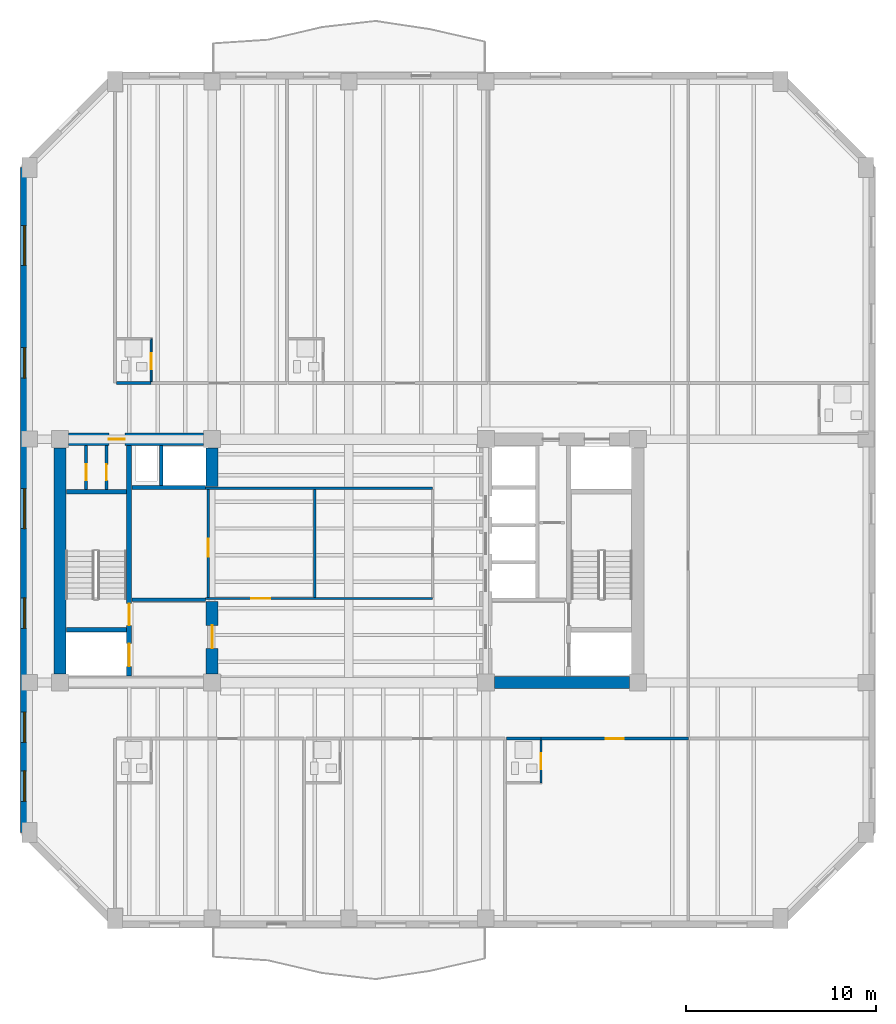
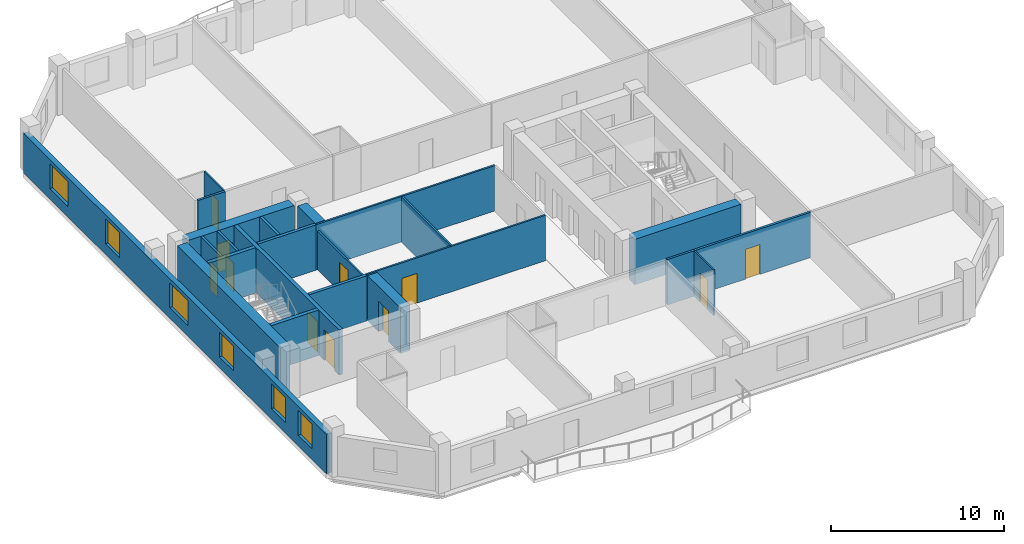
# One storey, part 3 of 9: 23 walls, 11 doors, 6 windows, 17 openings.
"""IFC4 building model written with IfcOpenShell, lengths in metres."""

from ifc_helpers import new_model, si_unit, direction, frame, frame_2d, origin, place, context, subcontext, project, spatial, rectangle, extrude, material, layer, layer_set, type_object, element, fill, save


model = new_model("IFC4")

# Units and contexts
model_context = context("Model", 3, precision=1e-05, world=origin(), true_north=direction((0.0, 1.0)))
body_context = subcontext(model_context, "Body", "Model", "MODEL_VIEW")
ifc_project = project(units=[si_unit("LENGTHUNIT", "METRE"), si_unit("AREAUNIT", "SQUARE_METRE"), si_unit("VOLUMEUNIT", "CUBIC_METRE"), si_unit("PLANEANGLEUNIT", "RADIAN"), si_unit("MASSUNIT", "GRAM", prefix="KILO")], contexts=[model_context])

# Site, building, storey
site_placement = place(None, origin())
site = spatial("IfcSite", under=ifc_project, at=site_placement, CompositionType="ELEMENT")
building_placement = place(site_placement, origin())
building = spatial("IfcBuilding", under=site, at=building_placement, Name="Kranthara Brick Stack", CompositionType="ELEMENT")
storey_placement = place(building_placement, frame((0.0, 0.0, 165.800048828125)))
storey = spatial("IfcBuildingStorey", under=building, at=storey_placement, Name="L42", CompositionType="ELEMENT", Elevation=165.800048828125)

# Wall, openings, windows
ifc_material_1 = material(Name="Kiln-fired clay brick masonry M15", Category="masonry")
ifc_layer_1 = layer(ifc_material_1, 0.35009765625)
ifc_layer_set_1 = layer_set([ifc_layer_1], Name="Kiln-fired clay brick masonry M15")
wall_type_1 = type_object("IfcWallType", Name="WL-BRK-SPND-350", PredefinedType="STANDARD", material=ifc_layer_set_1)
wall_1_placement = place(storey_placement, frame((10.89501953125, 12.89990234375, 0.0), z_axis=(0.0, 0.0, 1.0), x_axis=(0.0, 1.0, 0.0)))
wall_1 = element("IfcWall", 1, at=wall_1_placement, inside=storey, type_object=wall_type_1, Name="L42 Exterior Brick Facade Wall WEST 1", PredefinedType="STANDARD", context=body_context, shape_type="SweptSolid", body=[
    extrude(rectangle(XDim=35.0, YDim=0.35009765625, at=frame_2d((17.5, 0.0))), origin(), (0.0, 0.0, 1.0), 2.784912109375),
])
opening_1_placement = place(wall_1_placement, frame((1.652099609375, 0.0, 0.75)))
opening_1 = element("IfcOpeningElement", 2, at=opening_1_placement, cuts=wall_1, Name="Opening WN04", PredefinedType="OPENING", context=body_context, shape_type="SweptSolid", body=[
    extrude(rectangle(XDim=1.60009765625, YDim=1.75, at=frame_2d((0.800048828125, 0.875))), frame((0.0, 0.18505859375, 0.0), z_axis=(0.0, -1.0, 0.0), x_axis=(1.0, 0.0, 0.0)), (0.0, 0.0, 1.0), 0.3701171875),
])
opening_2_placement = place(wall_1_placement, frame((4.748046875, 0.0, 0.75)))
opening_2 = element("IfcOpeningElement", 3, at=opening_2_placement, cuts=wall_1, Name="Opening WN04", PredefinedType="OPENING", context=body_context, shape_type="SweptSolid", body=[
    extrude(rectangle(XDim=1.60009765625, YDim=1.75, at=frame_2d((0.800048828125, 0.875))), frame((0.0, 0.18505859375, 0.0), z_axis=(0.0, -1.0, 0.0), x_axis=(1.0, 0.0, 0.0)), (0.0, 0.0, 1.0), 0.3701171875),
])
opening_3_placement = place(wall_1_placement, frame((10.751953125, 0.0, 0.75)))
opening_3 = element("IfcOpeningElement", 4, at=opening_3_placement, cuts=wall_1, Name="Opening WN04", PredefinedType="OPENING", context=body_context, shape_type="SweptSolid", body=[
    extrude(rectangle(XDim=1.60009765625, YDim=1.75, at=frame_2d((0.800048828125, 0.875))), frame((0.0, 0.18505859375, 0.0), z_axis=(0.0, -1.0, 0.0), x_axis=(1.0, 0.0, 0.0)), (0.0, 0.0, 1.0), 0.3701171875),
])
opening_4_placement = place(wall_1_placement, frame((15.998046875, 0.0, 0.75)))
opening_4 = element("IfcOpeningElement", 5, at=opening_4_placement, cuts=wall_1, Name="Opening WN05", PredefinedType="OPENING", context=body_context, shape_type="SweptSolid", body=[
    extrude(rectangle(XDim=2.10009765625, YDim=1.75, at=frame_2d((1.050048828125, 0.875))), frame((0.0, 0.18505859375, 0.0), z_axis=(0.0, -1.0, 0.0), x_axis=(1.0, 0.0, 0.0)), (0.0, 0.0, 1.0), 0.3701171875),
])
opening_5_placement = place(wall_1_placement, frame((23.916015625, 0.0, 0.75)))
opening_5 = element("IfcOpeningElement", 6, at=opening_5_placement, cuts=wall_1, Name="Opening WN04", PredefinedType="OPENING", context=body_context, shape_type="SweptSolid", body=[
    extrude(rectangle(XDim=1.60009765625, YDim=1.75, at=frame_2d((0.800048828125, 0.875))), frame((0.0, 0.18505859375, 0.0), z_axis=(0.0, -1.0, 0.0), x_axis=(1.0, 0.0, 0.0)), (0.0, 0.0, 1.0), 0.3701171875),
])
opening_6_placement = place(wall_1_placement, frame((29.833984375, 0.0, 0.75)))
opening_6 = element("IfcOpeningElement", 7, at=opening_6_placement, cuts=wall_1, Name="Opening WN05", PredefinedType="OPENING", context=body_context, shape_type="SweptSolid", body=[
    extrude(rectangle(XDim=2.10009765625, YDim=1.75, at=frame_2d((1.050048828125, 0.875))), frame((0.0, 0.18505859375, 0.0), z_axis=(0.0, -1.0, 0.0), x_axis=(1.0, 0.0, 0.0)), (0.0, 0.0, 1.0), 0.3701171875),
])
ifc_material_2 = material(Name="Double-glazed low-E solar control glass", Category="glass")
window_type_1 = type_object("IfcWindowType", Name="WN-HTL-1600x1850", PartitioningType="DOUBLE_PANEL_VERTICAL", PredefinedType="WINDOW", material=ifc_material_2)
window_1_placement = place(opening_1_placement, origin())
window_1 = element("IfcWindow", 8, at=window_1_placement, inside=storey, type_object=window_type_1, Name="L42 West Deep-Set Brick Window 01", OverallHeight=1.75, OverallWidth=1.60009765625, PartitioningType="SINGLE_PANEL", PredefinedType="WINDOW", context=body_context, shape_type="SweptSolid", body=[
    extrude(rectangle(XDim=1.60009765625, YDim=1.75, at=frame_2d((0.800048828125, 0.875))), frame((0.0, -0.010009765625, 0.0), z_axis=(0.0, -1.0, 0.0), x_axis=(1.0, 0.0, 0.0)), (0.0, 0.0, 1.0), 0.06005859375),
])
fill(opening_1, window_1)
window_2_placement = place(opening_2_placement, origin())
window_2 = element("IfcWindow", 9, at=window_2_placement, inside=storey, type_object=window_type_1, Name="L42 West Deep-Set Brick Window 02", OverallHeight=1.75, OverallWidth=1.60009765625, PartitioningType="SINGLE_PANEL", PredefinedType="WINDOW", context=body_context, shape_type="SweptSolid", body=[
    extrude(rectangle(XDim=1.60009765625, YDim=1.75, at=frame_2d((0.800048828125, 0.875))), frame((0.0, -0.010009765625, 0.0), z_axis=(0.0, -1.0, 0.0), x_axis=(1.0, 0.0, 0.0)), (0.0, 0.0, 1.0), 0.06005859375),
])
fill(opening_2, window_2)
window_3_placement = place(opening_3_placement, origin())
window_3 = element("IfcWindow", 10, at=window_3_placement, inside=storey, type_object=window_type_1, Name="L42 West Deep-Set Brick Window 03", OverallHeight=1.75, OverallWidth=1.60009765625, PartitioningType="SINGLE_PANEL", PredefinedType="WINDOW", context=body_context, shape_type="SweptSolid", body=[
    extrude(rectangle(XDim=1.60009765625, YDim=1.75, at=frame_2d((0.800048828125, 0.875))), frame((0.0, -0.010009765625, 0.0), z_axis=(0.0, -1.0, 0.0), x_axis=(1.0, 0.0, 0.0)), (0.0, 0.0, 1.0), 0.06005859375),
])
fill(opening_3, window_3)
window_4_placement = place(opening_5_placement, origin())
window_4 = element("IfcWindow", 11, at=window_4_placement, inside=storey, type_object=window_type_1, Name="L42 West Deep-Set Brick Window 05", OverallHeight=1.75, OverallWidth=1.60009765625, PartitioningType="SINGLE_PANEL", PredefinedType="WINDOW", context=body_context, shape_type="SweptSolid", body=[
    extrude(rectangle(XDim=1.60009765625, YDim=1.75, at=frame_2d((0.800048828125, 0.875))), frame((0.0, -0.010009765625, 0.0), z_axis=(0.0, -1.0, 0.0), x_axis=(1.0, 0.0, 0.0)), (0.0, 0.0, 1.0), 0.06005859375),
])
fill(opening_5, window_4)
ifc_material_3 = material(Name="Double-glazed low-E solar control glass", Category="glass")
window_type_2 = type_object("IfcWindowType", Name="WN-HTL-2100x1850", PartitioningType="DOUBLE_PANEL_VERTICAL", PredefinedType="WINDOW", material=ifc_material_3)
window_5_placement = place(opening_4_placement, origin())
window_5 = element("IfcWindow", 12, at=window_5_placement, inside=storey, type_object=window_type_2, Name="L42 West Deep-Set Brick Window 04", OverallHeight=1.75, OverallWidth=2.10009765625, PartitioningType="SINGLE_PANEL", PredefinedType="WINDOW", context=body_context, shape_type="SweptSolid", body=[
    extrude(rectangle(XDim=2.10009765625, YDim=1.75, at=frame_2d((1.050048828125, 0.875))), frame((0.0, -0.010009765625, 0.0), z_axis=(0.0, -1.0, 0.0), x_axis=(1.0, 0.0, 0.0)), (0.0, 0.0, 1.0), 0.06005859375),
])
fill(opening_4, window_5)
window_6_placement = place(opening_6_placement, origin())
window_6 = element("IfcWindow", 13, at=window_6_placement, inside=storey, type_object=window_type_2, Name="L42 West Deep-Set Brick Window 06", OverallHeight=1.75, OverallWidth=2.10009765625, PartitioningType="SINGLE_PANEL", PredefinedType="WINDOW", context=body_context, shape_type="SweptSolid", body=[
    extrude(rectangle(XDim=2.10009765625, YDim=1.75, at=frame_2d((1.050048828125, 0.875))), frame((0.0, -0.010009765625, 0.0), z_axis=(0.0, -1.0, 0.0), x_axis=(1.0, 0.0, 0.0)), (0.0, 0.0, 1.0), 0.06005859375),
])
fill(opening_6, window_6)

# Wall, openings, doors
ifc_material_4 = material(Name="Concrete C50/60", Category="concrete")
ifc_layer_2 = layer(ifc_material_4, 0.25)
ifc_layer_set_2 = layer_set([ifc_layer_2], Name="Concrete C50/60")
wall_type_2 = type_object("IfcWallType", Name="WL-CORE-250", PredefinedType="SHEAR", material=ifc_layer_set_2)
wall_2_placement = place(storey_placement, frame((16.43505859375, 21.135009765625, 0.0), z_axis=(0.0, 0.0, 1.0), x_axis=(0.0, 1.0, 0.0)))
wall_2 = element("IfcWall", 14, at=wall_2_placement, inside=storey, type_object=wall_type_2, Name="L42 West Core Stair Bearing Spine Wall", PredefinedType="SHEAR", context=body_context, shape_type="SweptSolid", body=[
    extrude(rectangle(XDim=12.1298828125, YDim=0.25, at=frame_2d((6.06494140625, 0.0))), origin(), (0.0, 0.0, 1.0), 3.199951171875),
])
opening_7_placement = place(wall_2_placement, frame((0.514892578125, 0.0, 0.0)))
opening_7 = element("IfcOpeningElement", 15, at=opening_7_placement, cuts=wall_2, Name="Opening LD01", PredefinedType="OPENING", context=body_context, shape_type="SweptSolid", body=[
    extrude(rectangle(XDim=1.199951171875, YDim=2.14990234375, at=frame_2d((0.60009765625, 1.074951171875))), frame((0.0, 0.135009765625, 0.0), z_axis=(0.0, -1.0, 0.0), x_axis=(1.0, 0.0, 0.0)), (0.0, 0.0, 1.0), 0.27001953125),
])
opening_8_placement = place(wall_2_placement, frame((2.6650390625, 0.0, 0.0)))
opening_8 = element("IfcOpeningElement", 16, at=opening_8_placement, cuts=wall_2, Name="Opening D05", PredefinedType="OPENING", context=body_context, shape_type="SweptSolid", body=[
    extrude(rectangle(XDim=1.14990234375, YDim=2.14990234375, at=frame_2d((0.574951171875, 1.074951171875))), frame((0.0, 0.135009765625, 0.0), z_axis=(0.0, -1.0, 0.0), x_axis=(1.0, 0.0, 0.0)), (0.0, 0.0, 1.0), 0.27001953125),
])
ifc_material_5 = material(Name="Stainless steel sliding landing door", Category="steel")
door_type_1 = type_object("IfcDoorType", Name="DR-LD-FF1200", OperationType="DOUBLE_DOOR_SLIDING", PredefinedType="DOOR", material=ifc_material_5)
door_1_placement = place(opening_7_placement, origin())
door_1 = element("IfcDoor", 17, at=door_1_placement, inside=storey, type_object=door_type_1, Name="L42 Firefighting Lift FF-01 Landing Door", OperationType="DOUBLE_DOOR_SLIDING", OverallHeight=2.14990234375, OverallWidth=1.199951171875, PredefinedType="DOOR", context=body_context, shape_type="SweptSolid", body=[
    extrude(rectangle(XDim=1.199951171875, YDim=2.14990234375, at=frame_2d((0.60009765625, 1.074951171875))), frame((0.0, 0.02490234375, 0.0), z_axis=(0.0, -1.0, 0.0), x_axis=(1.0, 0.0, 0.0)), (0.0, 0.0, 1.0), 0.050048828125),
])
fill(opening_7, door_1)
ifc_material_6 = material(Name="Solid-core hardwood timber leaf in steel frame", Category="steel")
door_type_2 = type_object("IfcDoorType", Name="DR-ST-1150", OperationType="NOTDEFINED", PredefinedType="DOOR", material=ifc_material_6)
door_2_placement = place(opening_8_placement, origin())
door_2 = element("IfcDoor", 18, at=door_2_placement, inside=storey, type_object=door_type_2, Name="L42 Exit Stair ST01 Door", OperationType="SINGLE_SWING_RIGHT", OverallHeight=2.14990234375, OverallWidth=1.14990234375, PredefinedType="DOOR", context=body_context, shape_type="SweptSolid", body=[
    extrude(rectangle(XDim=1.14990234375, YDim=2.14990234375, at=frame_2d((0.574951171875, 1.074951171875))), frame((0.0, 0.02490234375, 0.0), z_axis=(0.0, -1.0, 0.0), x_axis=(1.0, 0.0, 0.0)), (0.0, 0.0, 1.0), 0.050048828125),
])
fill(opening_8, door_2)

# Walls
for number, where, z_axis, x_axis, name in (
    (19, (13.135009765625, 23.570068359375, 0.0), (0.0, 0.0, 1.0), (1.0, 0.0, 0.0), "L42 West Stairwell Bearing Wall WFF"),
    (20, (13.135009765625, 30.830078125, 0.0), (0.0, 0.0, 1.0), (1.0, 0.0, 0.0), "L42 West Stairwell Bearing Wall WST"),
):
    element("IfcWall", number, at=place(storey_placement, frame(where, z_axis=z_axis, x_axis=x_axis)), inside=storey, type_object=wall_type_2, Name=name, PredefinedType="SHEAR", context=body_context, shape_type="SweptSolid", body=[
        extrude(rectangle(XDim=3.175048828125, YDim=0.25, at=frame_2d((1.58740234375, 0.0))), origin(), (0.0, 0.0, 1.0), 3.199951171875),
    ])
ifc_material_7 = material(Name="Concrete C60/75", Category="concrete")
ifc_layer_3 = layer(ifc_material_7, 0.64990234375)
ifc_layer_set_3 = layer_set([ifc_layer_3], Name="Concrete C60/75")
wall_type_3 = type_object("IfcWallType", Name="WL-CORE-650", PredefinedType="SHEAR", material=ifc_layer_set_3)
wall_3_placement = place(storey_placement, frame((12.800048828125, 21.2548828125, 0.0), z_axis=(0.0, 0.0, 1.0), x_axis=(0.0, 1.0, 0.0)))
element("IfcWall", 21, at=wall_3_placement, inside=storey, type_object=wall_type_3, Name="L42 West Core Shear Wall West", PredefinedType="SHEAR", context=body_context, shape_type="SweptSolid", body=[
    extrude(rectangle(XDim=11.89013671875, YDim=0.64990234375, at=frame_2d((5.945068359375, 0.0))), origin(), (0.0, 0.0, 1.0), 3.199951171875),
])

# Wall, opening, door
wall_4_placement = place(storey_placement, frame((13.2548828125, 33.60009765625, 0.0), z_axis=(0.0, 0.0, 1.0), x_axis=(1.0, 0.0, 0.0)))
wall_4 = element("IfcWall", 22, at=wall_4_placement, inside=storey, type_object=wall_type_3, Name="L42 West Core Shear Wall North", PredefinedType="SHEAR", context=body_context, shape_type="SweptSolid", body=[
    extrude(rectangle(XDim=7.090087890625, YDim=0.64990234375, at=frame_2d((3.544921875, 0.0))), origin(), (0.0, 0.0, 1.0), 3.199951171875),
])
opening_9_placement = place(wall_4_placement, frame((2.114990234375, 0.0, 0.0)))
opening_9 = element("IfcOpeningElement", 23, at=opening_9_placement, cuts=wall_4, Name="Opening D10", PredefinedType="OPENING", context=body_context, shape_type="SweptSolid", body=[
    extrude(rectangle(XDim=0.85009765625, YDim=2.02001953125, at=frame_2d((0.425048828125, 1.010009765625))), frame((0.0, 0.3349609375, 0.0), z_axis=(0.0, -1.0, 0.0), x_axis=(1.0, 0.0, 0.0)), (0.0, 0.0, 1.0), 0.669921875),
])
ifc_material_8 = material(Name="Solid-core hardwood timber leaf in steel frame", Category="steel")
door_type_3 = type_object("IfcDoorType", Name="DR-RSR-850", OperationType="NOTDEFINED", PredefinedType="DOOR", material=ifc_material_8)
door_3_placement = place(opening_9_placement, origin())
door_3 = element("IfcDoor", 24, at=door_3_placement, inside=storey, type_object=door_type_3, Name="L42 West Core Service Door 1", OperationType="SINGLE_SWING_RIGHT", OverallHeight=2.02001953125, OverallWidth=0.85009765625, PredefinedType="DOOR", context=body_context, shape_type="SweptSolid", body=[
    extrude(rectangle(XDim=0.85009765625, YDim=2.02001953125, at=frame_2d((0.425048828125, 1.010009765625))), frame((0.0, 0.02490234375, 0.0), z_axis=(0.0, -1.0, 0.0), x_axis=(1.0, 0.0, 0.0)), (0.0, 0.0, 1.0), 0.050048828125),
])
fill(opening_9, door_3)

wall_5_placement = place(storey_placement, frame((20.800048828125, 21.2548828125, 0.0), z_axis=(0.0, 0.0, 1.0), x_axis=(0.0, 1.0, 0.0)))
wall_5 = element("IfcWall", 25, at=wall_5_placement, inside=storey, type_object=wall_type_3, Name="L42 West Core Lobby Shear Wall", PredefinedType="SHEAR", context=body_context, shape_type="SweptSolid", body=[
    extrude(rectangle(XDim=3.795166015625, YDim=0.64990234375, at=frame_2d((1.8974609375, 0.0))), origin(), (0.0, 0.0, 1.0), 3.199951171875),
])
opening_10_placement = place(wall_5_placement, frame((1.344970703125, 0.0, 0.0)))
opening_10 = element("IfcOpeningElement", 26, at=opening_10_placement, cuts=wall_5, Name="Opening D06", PredefinedType="OPENING", context=body_context, shape_type="SweptSolid", body=[
    extrude(rectangle(XDim=1.199951171875, YDim=2.14990234375, at=frame_2d((0.60009765625, 1.074951171875))), frame((0.0, 0.3349609375, 0.0), z_axis=(0.0, -1.0, 0.0), x_axis=(1.0, 0.0, 0.0)), (0.0, 0.0, 1.0), 0.669921875),
])
ifc_material_9 = material(Name="Solid-core hardwood timber leaf in steel frame", Category="steel")
door_type_4 = type_object("IfcDoorType", Name="DR-FFL-1200", OperationType="NOTDEFINED", PredefinedType="DOOR", material=ifc_material_9)
door_4_placement = place(opening_10_placement, origin())
door_4 = element("IfcDoor", 27, at=door_4_placement, inside=storey, type_object=door_type_4, Name="L42 West Firefighting Lobby Door", OperationType="SINGLE_SWING_LEFT", OverallHeight=2.14990234375, OverallWidth=1.199951171875, PredefinedType="DOOR", context=body_context, shape_type="SweptSolid", body=[
    extrude(rectangle(XDim=1.199951171875, YDim=2.14990234375, at=frame_2d((0.60009765625, 1.074951171875))), frame((0.0, 0.02490234375, 0.0), z_axis=(0.0, -1.0, 0.0), x_axis=(1.0, 0.0, 0.0)), (0.0, 0.0, 1.0), 0.050048828125),
])
fill(opening_10, door_4)

# Walls
wall_6_placement = place(storey_placement, frame((20.800048828125, 31.10009765625, 0.0), z_axis=(0.0, 0.0, 1.0), x_axis=(0.0, 1.0, 0.0)))
element("IfcWall", 28, at=wall_6_placement, inside=storey, type_object=wall_type_3, Name="L42 West Core High-Rise Lift Wall", PredefinedType="SHEAR", context=body_context, shape_type="SweptSolid", body=[
    extrude(rectangle(XDim=2.044921875, YDim=0.64990234375, at=frame_2d((1.0224609375, 0.0))), origin(), (0.0, 0.0, 1.0), 3.199951171875),
])
wall_7_placement = place(storey_placement, frame((35.655029296875, 20.800048828125, 0.0), z_axis=(0.0, 0.0, 1.0), x_axis=(1.0, 0.0, 0.0)))
element("IfcWall", 29, at=wall_7_placement, inside=storey, type_object=wall_type_3, Name="L42 East Core Shear Wall South", PredefinedType="SHEAR", context=body_context, shape_type="SweptSolid", body=[
    extrude(rectangle(XDim=7.090087890625, YDim=0.64990234375, at=frame_2d((3.544921875, 0.0))), origin(), (0.0, 0.0, 1.0), 3.199951171875),
])

# Wall, opening, door
ifc_material_10 = material(Name="Moisture-resistant wet-room partition", Category="other")
ifc_layer_4 = layer(ifc_material_10, 0.10009765625)
ifc_layer_set_4 = layer_set([ifc_layer_4], Name="Moisture-resistant wet-room partition")
wall_type_4 = type_object("IfcWallType", Name="WL-PART-100", PredefinedType="PARTITIONING", material=ifc_layer_set_4)
wall_8_placement = place(storey_placement, frame((38.10205078125, 15.52001953125, 0.0), z_axis=(0.0, 0.0, 1.0), x_axis=(0.0, 1.0, 0.0)))
wall_8 = element("IfcWall", 30, at=wall_8_placement, inside=storey, type_object=wall_type_4, Name="L42 Interior Partition 022", PredefinedType="PARTITIONING", context=body_context, shape_type="SweptSolid", body=[
    extrude(rectangle(XDim=2.25, YDim=0.10009765625, at=frame_2d((1.125, 0.0))), origin(), (0.0, 0.0, 1.0), 3.199951171875),
])
opening_11_placement = place(wall_8_placement, frame((0.719970703125, 0.0, 0.0)))
opening_11 = element("IfcOpeningElement", 31, at=opening_11_placement, cuts=wall_8, Name="Opening D17", PredefinedType="OPENING", context=body_context, shape_type="SweptSolid", body=[
    extrude(rectangle(XDim=0.85009765625, YDim=2.050048828125, at=frame_2d((0.425048828125, 1.02490234375))), frame((0.0, 0.06005859375, 0.0), z_axis=(0.0, -1.0, 0.0), x_axis=(1.0, 0.0, 0.0)), (0.0, 0.0, 1.0), 0.1201171875),
])
ifc_material_11 = material(Name="Solid-core hardwood timber leaf in steel frame", Category="steel")
door_type_5 = type_object("IfcDoorType", Name="DR-WET-850", OperationType="NOTDEFINED", PredefinedType="DOOR", material=ifc_material_11)
door_5_placement = place(opening_11_placement, origin())
door_5 = element("IfcDoor", 32, at=door_5_placement, inside=storey, type_object=door_type_5, Name="L42 Key 03 En-Suite Door 11", OperationType="SINGLE_SWING_LEFT", OverallHeight=2.050048828125, OverallWidth=0.85009765625, PredefinedType="DOOR", context=body_context, shape_type="SweptSolid", body=[
    extrude(rectangle(XDim=0.85009765625, YDim=2.050048828125, at=frame_2d((0.425048828125, 1.02490234375))), frame((0.0, 0.02490234375, 0.0), z_axis=(0.0, -1.0, 0.0), x_axis=(1.0, 0.0, 0.0)), (0.0, 0.0, 1.0), 0.050048828125),
])
fill(opening_11, door_5)

wall_9_placement = place(storey_placement, frame((17.60009765625, 36.6298828125, 0.0), z_axis=(0.0, 0.0, 1.0), x_axis=(0.0, 1.0, 0.0)))
wall_9 = element("IfcWall", 33, at=wall_9_placement, inside=storey, type_object=wall_type_4, Name="L42 Interior Partition 028", PredefinedType="PARTITIONING", context=body_context, shape_type="SweptSolid", body=[
    extrude(rectangle(XDim=2.25, YDim=0.10009765625, at=frame_2d((1.125, 0.0))), origin(), (0.0, 0.0, 1.0), 3.199951171875),
])
opening_12_placement = place(wall_9_placement, frame((0.639892578125, 0.0, 0.0)))
opening_12 = element("IfcOpeningElement", 34, at=opening_12_placement, cuts=wall_9, Name="Opening D17", PredefinedType="OPENING", context=body_context, shape_type="SweptSolid", body=[
    extrude(rectangle(XDim=0.85009765625, YDim=2.050048828125, at=frame_2d((0.425048828125, 1.02490234375))), frame((0.0, 0.06005859375, 0.0), z_axis=(0.0, -1.0, 0.0), x_axis=(1.0, 0.0, 0.0)), (0.0, 0.0, 1.0), 0.1201171875),
])
door_6_placement = place(opening_12_placement, origin())
door_6 = element("IfcDoor", 35, at=door_6_placement, inside=storey, type_object=door_type_5, Name="L42 Key 04 En-Suite Door 13", OperationType="SINGLE_SWING_LEFT", OverallHeight=2.050048828125, OverallWidth=0.85009765625, PredefinedType="DOOR", context=body_context, shape_type="SweptSolid", body=[
    extrude(rectangle(XDim=0.85009765625, YDim=2.050048828125, at=frame_2d((0.425048828125, 1.02490234375))), frame((0.0, 0.02490234375, 0.0), z_axis=(0.0, -1.0, 0.0), x_axis=(1.0, 0.0, 0.0)), (0.0, 0.0, 1.0), 0.050048828125),
])
fill(opening_12, door_6)

ifc_material_12 = material(Name="Acoustic gypsum plasterboard partition", Category="other")
ifc_layer_5 = layer(ifc_material_12, 0.1201171875)
ifc_layer_set_5 = layer_set([ifc_layer_5], Name="Acoustic gypsum plasterboard partition")
wall_type_5 = type_object("IfcWallType", Name="WL-PART-120", PredefinedType="PARTITIONING", material=ifc_layer_set_5)
wall_10_placement = place(storey_placement, frame((20.4599609375, 25.219970703125, 0.0), z_axis=(0.0, 0.0, 1.0), x_axis=(1.0, 0.0, 0.0)))
wall_10 = element("IfcWall", 36, at=wall_10_placement, inside=storey, type_object=wall_type_5, Name="L42 Interior Partition 004", PredefinedType="PARTITIONING", context=body_context, shape_type="SweptSolid", body=[
    extrude(rectangle(XDim=11.93994140625, YDim=0.1201171875, at=frame_2d((5.969970703125, 0.0))), origin(), (0.0, 0.0, 1.0), 3.199951171875),
])
opening_13_placement = place(wall_10_placement, frame((2.389892578125, 0.0, 0.0)))
opening_13 = element("IfcOpeningElement", 37, at=opening_13_placement, cuts=wall_10, Name="Opening D13", PredefinedType="OPENING", context=body_context, shape_type="SweptSolid", body=[
    extrude(rectangle(XDim=1.0, YDim=2.10009765625, at=frame_2d((0.5, 1.050048828125))), frame((0.0, 0.070068359375, 0.0), z_axis=(0.0, -1.0, 0.0), x_axis=(1.0, 0.0, 0.0)), (0.0, 0.0, 1.0), 0.14013671875),
])
ifc_material_13 = material(Name="Solid-core hardwood timber leaf in steel frame", Category="steel")
door_type_6 = type_object("IfcDoorType", Name="DR-INT-1000", OperationType="NOTDEFINED", PredefinedType="DOOR", material=ifc_material_13)
door_7_placement = place(opening_13_placement, origin())
door_7 = element("IfcDoor", 38, at=door_7_placement, inside=storey, type_object=door_type_6, Name="L42 Tea Salon Door 05", OperationType="SINGLE_SWING_LEFT", OverallHeight=2.10009765625, OverallWidth=1.0, PredefinedType="DOOR", context=body_context, shape_type="SweptSolid", body=[
    extrude(rectangle(XDim=1.0, YDim=2.10009765625, at=frame_2d((0.5, 1.050048828125))), frame((0.0, 0.02490234375, 0.0), z_axis=(0.0, -1.0, 0.0), x_axis=(1.0, 0.0, 0.0)), (0.0, 0.0, 1.0), 0.050048828125),
])
fill(opening_13, door_7)

# Wall
wall_11_placement = place(storey_placement, frame((20.4599609375, 31.02001953125, 0.0), z_axis=(0.0, 0.0, 1.0), x_axis=(1.0, 0.0, 0.0)))
element("IfcWall", 39, at=wall_11_placement, inside=storey, type_object=wall_type_5, Name="L42 Interior Partition 005", PredefinedType="PARTITIONING", context=body_context, shape_type="SweptSolid", body=[
    extrude(rectangle(XDim=11.93994140625, YDim=0.1201171875, at=frame_2d((5.969970703125, 0.0))), origin(), (0.0, 0.0, 1.0), 3.199951171875),
])

# Wall, opening, door
wall_12_placement = place(storey_placement, frame((20.60009765625, 25.284912109375, 0.0), z_axis=(0.0, 0.0, 1.0), x_axis=(0.0, 1.0, 0.0)))
wall_12 = element("IfcWall", 40, at=wall_12_placement, inside=storey, type_object=wall_type_5, Name="L42 Interior Partition 007", PredefinedType="PARTITIONING", context=body_context, shape_type="SweptSolid", body=[
    extrude(rectangle(XDim=5.670166015625, YDim=0.1201171875, at=frame_2d((2.8349609375, 0.0))), origin(), (0.0, 0.0, 1.0), 2.73486328125),
])
opening_14_placement = place(wall_12_placement, frame((2.135009765625, 0.0, 0.0)))
opening_14 = element("IfcOpeningElement", 41, at=opening_14_placement, cuts=wall_12, Name="Opening D14", PredefinedType="OPENING", context=body_context, shape_type="SweptSolid", body=[
    extrude(rectangle(XDim=0.949951171875, YDim=2.10009765625, at=frame_2d((0.47509765625, 1.050048828125))), frame((0.0, 0.070068359375, 0.0), z_axis=(0.0, -1.0, 0.0), x_axis=(1.0, 0.0, 0.0)), (0.0, 0.0, 1.0), 0.14013671875),
])
ifc_material_14 = material(Name="Solid-core hardwood timber leaf in steel frame", Category="steel")
door_type_7 = type_object("IfcDoorType", Name="DR-INT-950", OperationType="NOTDEFINED", PredefinedType="DOOR", material=ifc_material_14)
door_8_placement = place(opening_14_placement, origin())
door_8 = element("IfcDoor", 42, at=door_8_placement, inside=storey, type_object=door_type_7, Name="L42 Inner Archive Door 04", OperationType="SINGLE_SWING_RIGHT", OverallHeight=2.10009765625, OverallWidth=0.949951171875, PredefinedType="DOOR", context=body_context, shape_type="SweptSolid", body=[
    extrude(rectangle(XDim=0.949951171875, YDim=2.10009765625, at=frame_2d((0.47509765625, 1.050048828125))), frame((0.0, 0.02490234375, 0.0), z_axis=(0.0, -1.0, 0.0), x_axis=(1.0, 0.0, 0.0)), (0.0, 0.0, 1.0), 0.050048828125),
])
fill(opening_14, door_8)

# Wall
wall_13_placement = place(storey_placement, frame((26.199951171875, 25.284912109375, 0.0), z_axis=(0.0, 0.0, 1.0), x_axis=(0.0, 1.0, 0.0)))
element("IfcWall", 43, at=wall_13_placement, inside=storey, type_object=wall_type_5, Name="L42 Interior Partition 008", PredefinedType="PARTITIONING", context=body_context, shape_type="SweptSolid", body=[
    extrude(rectangle(XDim=5.670166015625, YDim=0.1201171875, at=frame_2d((2.8349609375, 0.0))), origin(), (0.0, 0.0, 1.0), 3.199951171875),
])

# Wall, opening, door
ifc_material_15 = material(Name="Fire-rated gypsum board partition", Category="other")
ifc_layer_6 = layer(ifc_material_15, 0.14990234375)
ifc_layer_set_6 = layer_set([ifc_layer_6], Name="Fire-rated gypsum board partition")
wall_type_6 = type_object("IfcWallType", Name="WL-PART-150", PredefinedType="PARTITIONING", material=ifc_layer_set_6)
wall_14_placement = place(storey_placement, frame((14.179931640625, 30.9599609375, 0.0), z_axis=(0.0, 0.0, 1.0), x_axis=(0.0, 1.0, 0.0)))
wall_14 = element("IfcWall", 44, at=wall_14_placement, inside=storey, type_object=wall_type_6, Name="L42 Interior Partition 001", PredefinedType="PARTITIONING", context=body_context, shape_type="SweptSolid", body=[
    extrude(rectangle(XDim=2.31005859375, YDim=0.14990234375, at=frame_2d((1.155029296875, 0.0))), origin(), (0.0, 0.0, 1.0), 3.199951171875),
])
opening_15_placement = place(wall_14_placement, frame((0.469970703125, 0.0, 0.0)))
opening_15 = element("IfcOpeningElement", 45, at=opening_15_placement, cuts=wall_14, Name="Opening D10", PredefinedType="OPENING", context=body_context, shape_type="SweptSolid", body=[
    extrude(rectangle(XDim=0.85009765625, YDim=2.02001953125, at=frame_2d((0.425048828125, 1.010009765625))), frame((0.0, 0.0849609375, 0.0), z_axis=(0.0, -1.0, 0.0), x_axis=(1.0, 0.0, 0.0)), (0.0, 0.0, 1.0), 0.169921875),
])
door_9_placement = place(opening_15_placement, origin())
door_9 = element("IfcDoor", 46, at=door_9_placement, inside=storey, type_object=door_type_3, Name="L42 Riser Door A 01", OperationType="SINGLE_SWING_LEFT", OverallHeight=2.02001953125, OverallWidth=0.85009765625, PredefinedType="DOOR", context=body_context, shape_type="SweptSolid", body=[
    extrude(rectangle(XDim=0.85009765625, YDim=2.02001953125, at=frame_2d((0.425048828125, 1.010009765625))), frame((0.0, 0.02490234375, 0.0), z_axis=(0.0, -1.0, 0.0), x_axis=(1.0, 0.0, 0.0)), (0.0, 0.0, 1.0), 0.050048828125),
])
fill(opening_15, door_9)

wall_15_placement = place(storey_placement, frame((15.25, 30.9599609375, 0.0), z_axis=(0.0, 0.0, 1.0), x_axis=(0.0, 1.0, 0.0)))
wall_15 = element("IfcWall", 47, at=wall_15_placement, inside=storey, type_object=wall_type_6, Name="L42 Interior Partition 002", PredefinedType="PARTITIONING", context=body_context, shape_type="SweptSolid", body=[
    extrude(rectangle(XDim=2.31005859375, YDim=0.14990234375, at=frame_2d((1.155029296875, 0.0))), origin(), (0.0, 0.0, 1.0), 3.199951171875),
])
opening_16_placement = place(wall_15_placement, frame((0.469970703125, 0.0, 0.0)))
opening_16 = element("IfcOpeningElement", 48, at=opening_16_placement, cuts=wall_15, Name="Opening D10", PredefinedType="OPENING", context=body_context, shape_type="SweptSolid", body=[
    extrude(rectangle(XDim=0.85009765625, YDim=2.02001953125, at=frame_2d((0.425048828125, 1.010009765625))), frame((0.0, 0.0849609375, 0.0), z_axis=(0.0, -1.0, 0.0), x_axis=(1.0, 0.0, 0.0)), (0.0, 0.0, 1.0), 0.169921875),
])
door_10_placement = place(opening_16_placement, origin())
door_10 = element("IfcDoor", 49, at=door_10_placement, inside=storey, type_object=door_type_3, Name="L42 Riser Door B 02", OperationType="SINGLE_SWING_RIGHT", OverallHeight=2.02001953125, OverallWidth=0.85009765625, PredefinedType="DOOR", context=body_context, shape_type="SweptSolid", body=[
    extrude(rectangle(XDim=0.85009765625, YDim=2.02001953125, at=frame_2d((0.425048828125, 1.010009765625))), frame((0.0, 0.02490234375, 0.0), z_axis=(0.0, -1.0, 0.0), x_axis=(1.0, 0.0, 0.0)), (0.0, 0.0, 1.0), 0.050048828125),
])
fill(opening_16, door_10)

# Wall
wall_16_placement = place(storey_placement, frame((36.281982421875, 17.85009765625, 0.0), z_axis=(0.0, 0.0, 1.0), x_axis=(1.0, 0.0, 0.0)))
element("IfcWall", 50, at=wall_16_placement, inside=storey, type_object=wall_type_6, Name="L42 Interior Partition 020", PredefinedType="PARTITIONING", context=body_context, shape_type="SweptSolid", body=[
    extrude(rectangle(XDim=1.820068359375, YDim=0.14990234375, at=frame_2d((0.91015625, 0.0))), origin(), (0.0, 0.0, 1.0), 3.199951171875),
])

# Wall, opening, door
wall_17_placement = place(storey_placement, frame((38.10205078125, 17.85009765625, 0.0), z_axis=(0.0, 0.0, 1.0), x_axis=(1.0, 0.0, 0.0)))
wall_17 = element("IfcWall", 51, at=wall_17_placement, inside=storey, type_object=wall_type_6, Name="L42 Interior Partition 021", PredefinedType="PARTITIONING", context=body_context, shape_type="SweptSolid", body=[
    extrude(rectangle(XDim=7.748046875, YDim=0.14990234375, at=frame_2d((3.8740234375, 0.0))), origin(), (0.0, 0.0, 1.0), 3.199951171875),
])
opening_17_placement = place(wall_17_placement, frame((3.39404296875, 0.0, 0.0)))
opening_17 = element("IfcOpeningElement", 52, at=opening_17_placement, cuts=wall_17, Name="Opening D09", PredefinedType="OPENING", context=body_context, shape_type="SweptSolid", body=[
    extrude(rectangle(XDim=0.949951171875, YDim=2.10009765625, at=frame_2d((0.47509765625, 1.050048828125))), frame((0.0, 0.0849609375, 0.0), z_axis=(0.0, -1.0, 0.0), x_axis=(1.0, 0.0, 0.0)), (0.0, 0.0, 1.0), 0.169921875),
])
ifc_material_16 = material(Name="Solid-core hardwood timber leaf in steel frame", Category="steel")
door_type_8 = type_object("IfcDoorType", Name="DR-FD-950", OperationType="NOTDEFINED", PredefinedType="DOOR", material=ifc_material_16)
door_11_placement = place(opening_17_placement, origin())
door_11 = element("IfcDoor", 53, at=door_11_placement, inside=storey, type_object=door_type_8, Name="L42 Key 03 Entry 12", OperationType="SINGLE_SWING_RIGHT", OverallHeight=2.10009765625, OverallWidth=0.949951171875, PredefinedType="DOOR", context=body_context, shape_type="SweptSolid", body=[
    extrude(rectangle(XDim=0.949951171875, YDim=2.10009765625, at=frame_2d((0.47509765625, 1.050048828125))), frame((0.0, 0.02490234375, 0.0), z_axis=(0.0, -1.0, 0.0), x_axis=(1.0, 0.0, 0.0)), (0.0, 0.0, 1.0), 0.050048828125),
])
fill(opening_17, door_11)

# Walls
wall_18_placement = place(storey_placement, frame((15.780029296875, 36.550048828125, 0.0), z_axis=(0.0, 0.0, 1.0), x_axis=(1.0, 0.0, 0.0)))
element("IfcWall", 54, at=wall_18_placement, inside=storey, type_object=wall_type_6, Name="L42 Interior Partition 026", PredefinedType="PARTITIONING", context=body_context, shape_type="SweptSolid", body=[
    extrude(rectangle(XDim=1.820068359375, YDim=0.14990234375, at=frame_2d((0.91015625, 0.0))), origin(), (0.0, 0.0, 1.0), 3.199951171875),
])
ifc_material_17 = material(Name="Gypsum plasterboard on acoustic twin stud", Category="other")
ifc_layer_7 = layer(ifc_material_17, 0.179931640625)
ifc_layer_set_7 = layer_set([ifc_layer_7], Name="Gypsum plasterboard on acoustic twin stud")
wall_type_7 = type_object("IfcWallType", Name="WL-PART-180", PredefinedType="PARTITIONING", material=ifc_layer_set_7)
wall_19_placement = place(storey_placement, frame((18.1201171875, 31.169921875, 0.0), z_axis=(0.0, 0.0, 1.0), x_axis=(0.0, 1.0, 0.0)))
element("IfcWall", 55, at=wall_19_placement, inside=storey, type_object=wall_type_7, Name="L42 PL-07 Shaft Back Wall", PredefinedType="PARTITIONING", context=body_context, shape_type="SweptSolid", body=[
    extrude(rectangle(XDim=2.094970703125, YDim=0.179931640625, at=frame_2d((1.04736328125, 0.0))), origin(), (0.0, 0.0, 1.0), 3.199951171875),
])
ifc_material_18 = material(Name="Concrete C40/50", Category="concrete")
ifc_layer_8 = layer(ifc_material_18, 0.199951171875)
ifc_layer_set_8 = layer_set([ifc_layer_8], Name="Concrete C40/50")
wall_type_8 = type_object("IfcWallType", Name="WL-PART-200", PredefinedType="SOLIDWALL", material=ifc_layer_set_8)
for number, where, z_axis, x_axis, name in (
    (56, (16.60009765625, 25.14990234375, 0.0), (0.0, 0.0, 1.0), (1.0, 0.0, 0.0), "L42 West Core Cross Wall WFL"),
    (57, (16.60009765625, 31.050048828125, 0.0), (0.0, 0.0, 1.0), (1.0, 0.0, 0.0), "L42 West Core Cross Wall WH4"),
):
    element("IfcWall", number, at=place(storey_placement, frame(where, z_axis=z_axis, x_axis=x_axis)), inside=storey, type_object=wall_type_8, Name=name, PredefinedType="SOLIDWALL", context=body_context, shape_type="SweptSolid", body=[
        extrude(rectangle(XDim=3.849853515625, YDim=0.199951171875, at=frame_2d((1.9248046875, 0.0))), origin(), (0.0, 0.0, 1.0), 3.199951171875),
    ])

save(model, "model.ifc")
